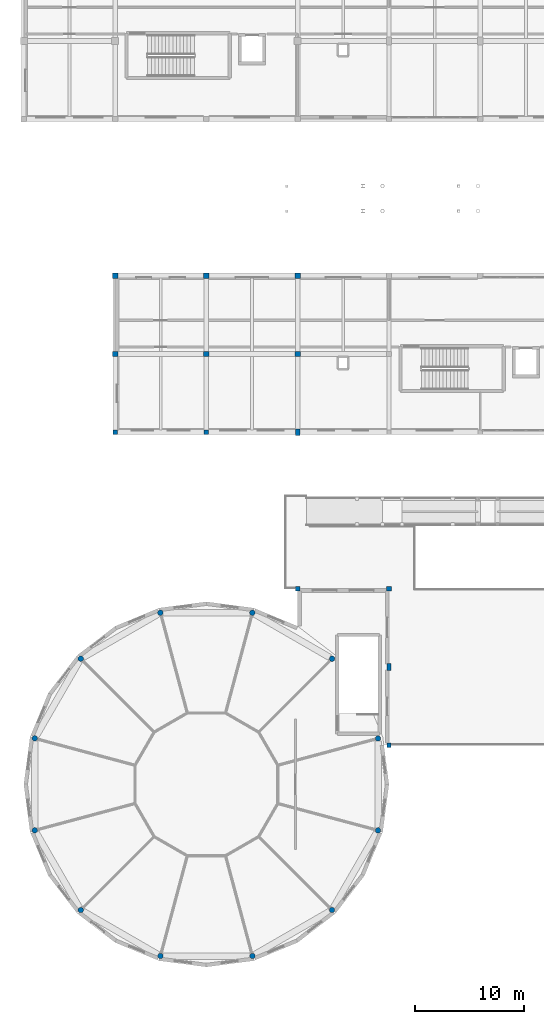
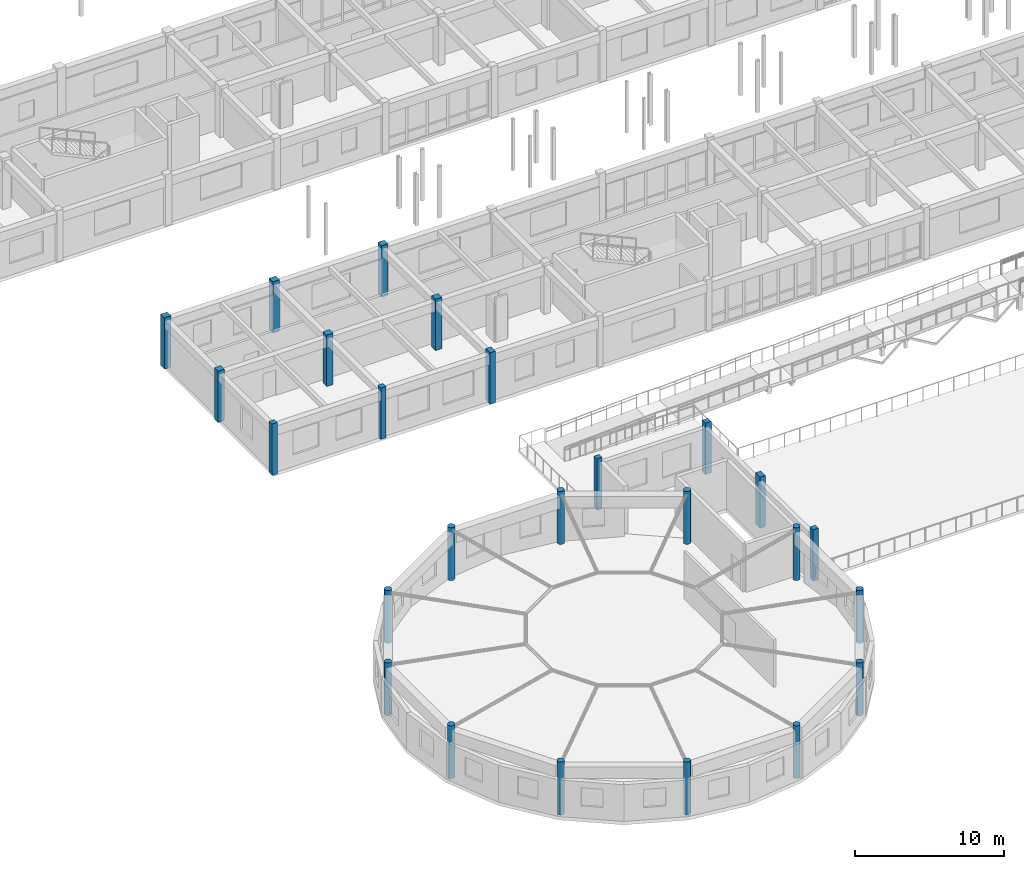
# One storey, part 1 of 90: 25 columns.
"""IFC4 building model written with IfcOpenShell, lengths in metres."""

from ifc_helpers import new_model, si_unit, direction, frame, origin, origin_2d, place, context, subcontext, project, spatial, rectangle, circle, extrude, material, material_profile, profile_set, type_object, element, save


model = new_model("IFC4")

# Units and contexts
model_context = context("Model", 3, precision=1e-05, world=origin(), true_north=direction((0.0, 1.0)))
body_context = subcontext(model_context, "Body", "Model", "MODEL_VIEW")
ifc_project = project(units=[si_unit("LENGTHUNIT", "METRE"), si_unit("AREAUNIT", "SQUARE_METRE"), si_unit("VOLUMEUNIT", "CUBIC_METRE"), si_unit("PLANEANGLEUNIT", "RADIAN"), si_unit("MASSUNIT", "GRAM", prefix="KILO")], contexts=[model_context])

# Site, building, storey
site_placement = place(None, origin())
site = spatial("IfcSite", under=ifc_project, at=site_placement, CompositionType="ELEMENT")
building_placement = place(site_placement, origin())
building = spatial("IfcBuilding", under=site, at=building_placement, Name="Malvenik Polytechnic", CompositionType="ELEMENT")
storey_placement = place(building_placement, frame((0.0, 0.0, 9.300048828125)))
storey = spatial("IfcBuildingStorey", under=building, at=storey_placement, Name="L02", CompositionType="ELEMENT", Elevation=9.300048828125)

# Columns
ifc_material_1 = material(Name="Concrete C35/45", Category="concrete")
ifc_material_profile_1 = material_profile(ifc_material_1, rectangle(XDim=0.5, YDim=0.5, at=origin_2d()), Name="RC COL 500x500")
ifc_profile_set_1 = profile_set([ifc_material_profile_1], Name="Concrete C35/45")
column_type_1 = type_object("IfcColumnType", Name="STR-COL-C-08", PredefinedType="COLUMN", material=ifc_profile_set_1)
for number, where, z_axis, x_axis, name in (
    (1, (8.39990234375, 57.60009765625, 0.0), (0.0, 0.0, 1.0), (1.0, 0.0, 0.0), "Column C-08 L02 (8.4,57.6)"),
    (2, (8.39990234375, 64.800048828125, 0.0), (0.0, 0.0, 1.0), (1.0, 0.0, 0.0), "Column C-08 L02 (8.4,64.8)"),
    (3, (16.800048828125, 57.60009765625, 0.0), (0.0, 0.0, 1.0), (1.0, 0.0, 0.0), "Column C-08 L02 (16.8,57.6)"),
    (4, (16.800048828125, 64.800048828125, 0.0), (0.0, 0.0, 1.0), (1.0, 0.0, 0.0), "Column C-08 L02 (16.8,64.8)"),
    (5, (25.199951171875, 57.60009765625, 0.0), (0.0, 0.0, 1.0), (1.0, 0.0, 0.0), "Column C-08 L02 (25.2,57.6)"),
    (6, (25.199951171875, 64.800048828125, 0.0), (0.0, 0.0, 1.0), (1.0, 0.0, 0.0), "Column C-08 L02 (25.2,64.8)"),
):
    element("IfcColumn", number, at=place(storey_placement, frame(where, z_axis=z_axis, x_axis=x_axis)), inside=storey, type_object=column_type_1, Name=name, PredefinedType="COLUMN", context=body_context, shape_type="SweptSolid", body=[
        extrude(rectangle(XDim=0.5, YDim=0.5, at=origin_2d()), origin(), (0.0, 0.0, 1.0), 4.199951171875),
    ])
ifc_material_profile_2 = material_profile(ifc_material_1, rectangle(XDim=0.449951171875, YDim=0.449951171875, at=origin_2d()), Name="RC COL 450x450")
ifc_profile_set_2 = profile_set([ifc_material_profile_2], Name="Concrete C35/45")
column_type_2 = type_object("IfcColumnType", Name="STR-COL-C-09", PredefinedType="COLUMN", material=ifc_profile_set_2)
column_placement = place(storey_placement, frame((33.60009765625, 36.0, 0.0), z_axis=(0.0, 0.0, 1.0), x_axis=(1.0, 0.0, 0.0)))
element("IfcColumn", 7, at=column_placement, inside=storey, type_object=column_type_2, Name="Column C-09 L02 (33.6,36.0)", PredefinedType="COLUMN", context=body_context, shape_type="SweptSolid", body=[
    extrude(rectangle(XDim=0.449951171875, YDim=0.449951171875, at=origin_2d()), origin(), (0.0, 0.0, 1.0), 4.199951171875),
])
ifc_material_2 = material(Name="Concrete C30/37", Category="concrete")
ifc_material_profile_3 = material_profile(ifc_material_2, rectangle(XDim=0.39990234375, YDim=0.39990234375, at=origin_2d()), Name="RC COL 400x400")
ifc_profile_set_3 = profile_set([ifc_material_profile_3], Name="Concrete C30/37")
column_type_3 = type_object("IfcColumnType", Name="STR-COL-C-10", PredefinedType="COLUMN", material=ifc_profile_set_3)
for number, where, z_axis, x_axis, name in (
    (8, (8.39990234375, 50.39990234375, 0.0), (0.0, 0.0, 1.0), (1.0, 0.0, 0.0), "Column C-10 L02 (8.4,50.4)"),
    (9, (16.800048828125, 50.39990234375, 0.0), (0.0, 0.0, 1.0), (1.0, 0.0, 0.0), "Column C-10 L02 (16.8,50.4)"),
    (10, (25.199951171875, 36.0, 0.0), (0.0, 0.0, 1.0), (1.0, 0.0, 0.0), "Column C-10 L02 (25.2,36.0)"),
    (11, (33.60009765625, 21.60009765625, 0.0), (0.0, 0.0, 1.0), (1.0, 0.0, 0.0), "Column C-10 L02 (33.6,21.6)"),
):
    element("IfcColumn", number, at=place(storey_placement, frame(where, z_axis=z_axis, x_axis=x_axis)), inside=storey, type_object=column_type_3, Name=name, PredefinedType="COLUMN", context=body_context, shape_type="SweptSolid", body=[
        extrude(rectangle(XDim=0.39990234375, YDim=0.39990234375, at=origin_2d()), origin(), (0.0, 0.0, 1.0), 4.199951171875),
    ])
ifc_material_profile_4 = material_profile(ifc_material_1, rectangle(XDim=0.39990234375, YDim=0.60009765625, at=origin_2d()), Name="RC COL 600x400")
ifc_profile_set_4 = profile_set([ifc_material_profile_4], Name="Concrete C35/45")
column_type_4 = type_object("IfcColumnType", Name="STR-COL-C-15", PredefinedType="COLUMN", material=ifc_profile_set_4)
for number, where, z_axis, x_axis, name in (
    (12, (25.199951171875, 50.39990234375, 0.0), (0.0, 0.0, 1.0), (1.0, 0.0, 0.0), "Column C-15 L02 (25.2,50.4)"),
    (13, (33.60009765625, 28.800048828125, 0.0), (0.0, 0.0, 1.0), (1.0, 0.0, 0.0), "Column C-15 L02 (33.6,28.8)"),
):
    element("IfcColumn", number, at=place(storey_placement, frame(where, z_axis=z_axis, x_axis=x_axis)), inside=storey, type_object=column_type_4, Name=name, PredefinedType="COLUMN", context=body_context, shape_type="SweptSolid", body=[
        extrude(rectangle(XDim=0.39990234375, YDim=0.60009765625, at=origin_2d()), origin(), (0.0, 0.0, 1.0), 4.199951171875),
    ])
ifc_material_profile_5 = material_profile(ifc_material_1, circle(Radius=0.25, at=origin_2d()), Name="RC COL D500")
ifc_profile_set_5 = profile_set([ifc_material_profile_5], Name="Concrete C35/45")
column_type_5 = type_object("IfcColumnType", Name="STR-COL-C-19", PredefinedType="COLUMN", material=ifc_profile_set_5)
for number, where, z_axis, x_axis, name in (
    (14, (1.007080078125, 13.76806640625, 0.0), (0.0, 0.0, 1.0), (1.0, 0.0, 0.0), "Column C-19 L02 (1.0,13.8)"),
    (15, (1.007080078125, 22.23193359375, 0.0), (0.0, 0.0, 1.0), (1.0, 0.0, 0.0), "Column C-19 L02 (1.0,22.2)"),
    (16, (5.239013671875, 6.43896484375, 0.0), (0.0, 0.0, 1.0), (1.0, 0.0, 0.0), "Column C-19 L02 (5.2,6.4)"),
    (17, (5.239013671875, 29.56103515625, 0.0), (0.0, 0.0, 1.0), (1.0, 0.0, 0.0), "Column C-19 L02 (5.2,29.6)"),
    (18, (12.568115234375, 2.20703125, 0.0), (0.0, 0.0, 1.0), (1.0, 0.0, 0.0), "Column C-19 L02 (12.6,2.2)"),
    (19, (12.568115234375, 33.79296875, 0.0), (0.0, 0.0, 1.0), (1.0, 0.0, 0.0), "Column C-19 L02 (12.6,33.8)"),
    (20, (21.031982421875, 2.20703125, 0.0), (0.0, 0.0, 1.0), (1.0, 0.0, 0.0), "Column C-19 L02 (21.0,2.2)"),
    (21, (21.031982421875, 33.79296875, 0.0), (0.0, 0.0, 1.0), (1.0, 0.0, 0.0), "Column C-19 L02 (21.0,33.8)"),
    (22, (28.361083984375, 6.43896484375, 0.0), (0.0, 0.0, 1.0), (1.0, 0.0, 0.0), "Column C-19 L02 (28.4,6.4)"),
    (23, (28.361083984375, 29.56103515625, 0.0), (0.0, 0.0, 1.0), (1.0, 0.0, 0.0), "Column C-19 L02 (28.4,29.6)"),
    (24, (32.593017578125, 13.76806640625, 0.0), (0.0, 0.0, 1.0), (1.0, 0.0, 0.0), "Column C-19 L02 (32.6,13.8)"),
    (25, (32.593017578125, 22.23193359375, 0.0), (0.0, 0.0, 1.0), (1.0, 0.0, 0.0), "Column C-19 L02 (32.6,22.2)"),
):
    element("IfcColumn", number, at=place(storey_placement, frame(where, z_axis=z_axis, x_axis=x_axis)), inside=storey, type_object=column_type_5, Name=name, PredefinedType="COLUMN", context=body_context, shape_type="SweptSolid", body=[
        extrude(circle(Radius=0.25, at=origin_2d()), origin(), (0.0, 0.0, 1.0), 4.320068359375),
    ])

save(model, "model.ifc")
